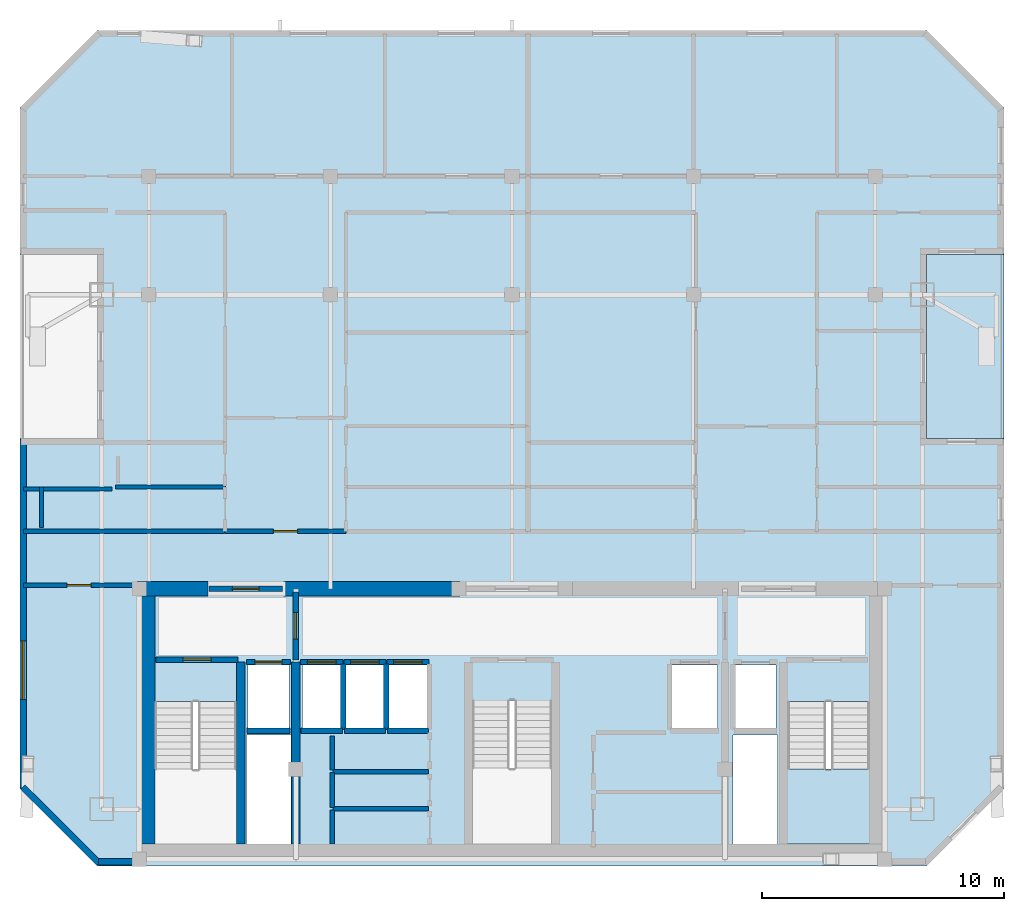
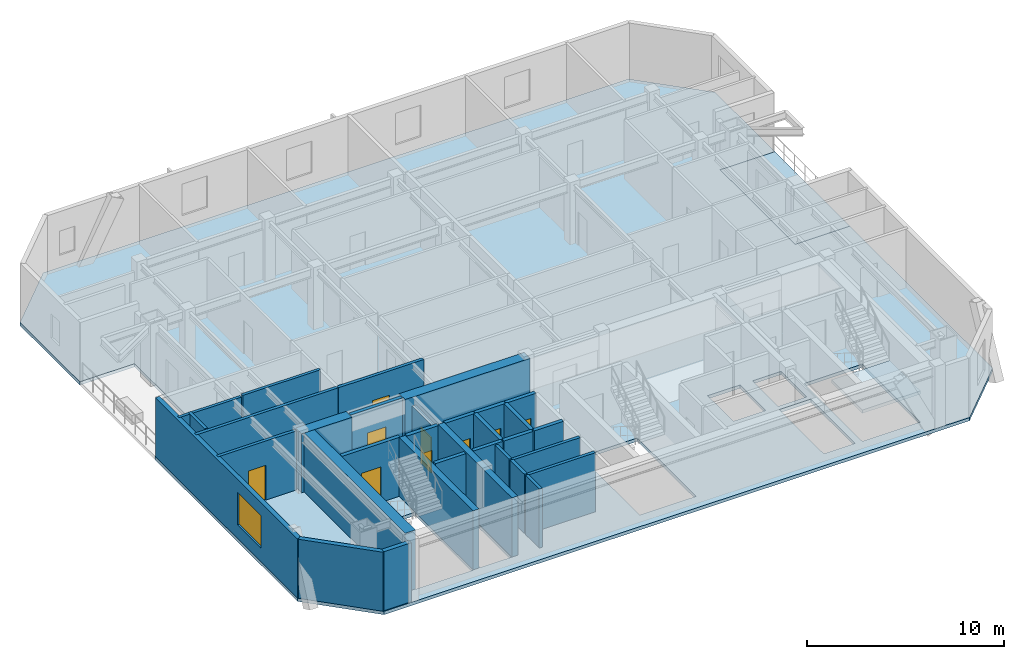
# One storey, part 2 of 8: 32 walls, 9 doors, 3 slabs, 1 window, 10 openings, 1 element without a shape of its own.
"""IFC4 building model written with IfcOpenShell, lengths in metres."""

from ifc_helpers import new_model, si_unit, direction, frame, frame_2d, origin, place, context, subcontext, project, spatial, polyline, rectangle, outline, extrude, material, layer, layer_set, type_object, element, fill, aggregate, save


model = new_model("IFC4")

# Units and contexts
model_context = context("Model", 3, precision=1e-05, world=origin(), true_north=direction((0.0, 1.0)))
body_context = subcontext(model_context, "Body", "Model", "MODEL_VIEW")
ifc_project = project(units=[si_unit("LENGTHUNIT", "METRE"), si_unit("AREAUNIT", "SQUARE_METRE"), si_unit("VOLUMEUNIT", "CUBIC_METRE"), si_unit("PLANEANGLEUNIT", "RADIAN"), si_unit("MASSUNIT", "GRAM", prefix="KILO")], contexts=[model_context])

# Site, building, storey
site_placement = place(None, origin())
site = spatial("IfcSite", under=ifc_project, at=site_placement, CompositionType="ELEMENT")
building_placement = place(site_placement, origin())
building = spatial("IfcBuilding", under=site, at=building_placement, Name="Ventersveld Concourse Tower", CompositionType="ELEMENT")
storey_placement = place(building_placement, frame((0.0, 0.0, 284.89990234375)))
storey = spatial("IfcBuildingStorey", under=building, at=storey_placement, Name="L70", CompositionType="ELEMENT", Elevation=284.89990234375)

# Slabs
ifc_material_1 = material(Name="Concrete C50/60", Category="concrete")
ifc_layer_1 = layer(ifc_material_1, 0.199951171875)
ifc_layer_set_1 = layer_set([ifc_layer_1], Name="Concrete C50/60")
slab_type_1 = type_object("IfcSlabType", Name="SL-FLR-200", PredefinedType="FLOOR", material=ifc_layer_set_1)
slab_1_placement = place(storey_placement, frame((0.0, 0.0, -0.199951171875)))
element("IfcSlab", 1, at=slab_1_placement, inside=storey, type_object=slab_type_1, Name="L70 Composite Floor Slab", PredefinedType="FLOOR", context=body_context, shape_type="SweptSolid", body=[
    extrude(outline(polyline([(11.624267578125, 0.0), (45.875732421875, 0.0), (49.07568359375, 3.199951171875), (49.07568359375, 17.663330078125), (45.875732421875, 17.663330078125), (45.875732421875, 25.263427734375), (49.07568359375, 25.263427734375), (49.07568359375, 31.326904296875), (45.875732421875, 34.52685546875), (11.624267578125, 34.52685546875), (8.42431640625, 31.326904296875), (8.42431640625, 25.263427734375), (11.624267578125, 25.263427734375), (11.624267578125, 17.663330078125), (8.42431640625, 17.663330078125), (8.42431640625, 3.199951171875), (11.624267578125, 0.0)]), holes=[polyline([(13.97998046875, 6.794921875), (13.97998046875, 0.89990234375), (17.3798828125, 0.89990234375), (17.3798828125, 6.794921875), (13.97998046875, 6.794921875)]), polyline([(40.1201171875, 6.794921875), (40.1201171875, 0.89990234375), (43.52001953125, 0.89990234375), (43.52001953125, 6.794921875), (40.1201171875, 6.794921875)]), polyline([(27.10009765625, 6.844970703125), (27.10009765625, 0.89990234375), (30.39990234375, 0.89990234375), (30.39990234375, 6.844970703125), (27.10009765625, 6.844970703125)]), polyline([(17.85009765625, 5.699951171875), (19.530029296875, 5.699951171875), (19.530029296875, 8.300048828125), (17.85009765625, 8.300048828125), (17.85009765625, 5.699951171875)]), polyline([(37.969970703125, 5.699951171875), (39.64990234375, 5.699951171875), (39.64990234375, 8.300048828125), (37.969970703125, 8.300048828125), (37.969970703125, 5.699951171875)]), polyline([(35.35009765625, 5.699951171875), (37.25, 5.699951171875), (37.25, 8.300048828125), (35.35009765625, 8.300048828125), (35.35009765625, 5.699951171875)]), polyline([(20.090087890625, 5.699951171875), (21.68994140625, 5.699951171875), (21.68994140625, 8.300048828125), (20.090087890625, 8.300048828125), (20.090087890625, 5.699951171875)]), polyline([(21.8701171875, 5.699951171875), (23.469970703125, 5.699951171875), (23.469970703125, 8.300048828125), (21.8701171875, 8.300048828125), (21.8701171875, 5.699951171875)]), polyline([(23.64990234375, 5.699951171875), (25.25, 5.699951171875), (25.25, 8.300048828125), (23.64990234375, 8.300048828125), (23.64990234375, 5.699951171875)]), polyline([(17.780029296875, 0.919921875), (19.6201171875, 0.919921875), (19.6201171875, 5.419921875), (17.780029296875, 5.419921875), (17.780029296875, 0.919921875)]), polyline([(37.8798828125, 0.919921875), (39.719970703125, 0.919921875), (39.719970703125, 5.419921875), (37.8798828125, 5.419921875), (37.8798828125, 0.919921875)])]), origin(), (0.0, 0.0, 1.0), 0.199951171875),
])
slab_2_placement = place(storey_placement, frame((0.0, 0.0, -0.199951171875)))
element("IfcSlab", 2, at=slab_2_placement, inside=storey, type_object=slab_type_1, Name="L70 Outdoor Terrace Slab NOTCH-E", PredefinedType="FLOOR", context=body_context, shape_type="SweptSolid", body=[
    extrude(outline(polyline([(45.875732421875, 17.663330078125), (49.07568359375, 17.663330078125), (49.07568359375, 25.263427734375), (45.875732421875, 25.263427734375), (45.875732421875, 17.663330078125)])), origin(), (0.0, 0.0, 1.0), 0.199951171875),
])

# Stair, slab
stair_type = type_object("IfcStairType", Name="ST-DOG-160", PredefinedType="HALF_TURN_STAIR", material=ifc_material_1)
stair_placement = place(storey_placement, origin())
stair = element("IfcStair", 3, at=stair_placement, inside=storey, type_object=stair_type, Name="L70 Protected Tower Escape Stair ST-02", PredefinedType="HALF_TURN_STAIR")
ifc_layer_2 = layer(ifc_material_1, 0.199951171875)
ifc_layer_set_2 = layer_set([ifc_layer_2], Name="Concrete C50/60")
slab_type_2 = type_object("IfcSlabType", Name="SL-LND-200", PredefinedType="LANDING", material=ifc_layer_set_2)
slab_3_placement = place(storey_placement, frame((0.0, 0.0, 1.72509765625)))
slab_3 = element("IfcSlab", 4, at=slab_3_placement, type_object=slab_type_2, Name="ST-02 landing 1", PredefinedType="LANDING", context=body_context, shape_type="SweptSolid", body=[
    extrude(outline(polyline([(40.1201171875, 4.0), (40.1201171875, 0.89990234375), (43.52001953125, 0.89990234375), (43.52001953125, 4.0), (40.1201171875, 4.0)])), origin(), (0.0, 0.0, 1.0), 0.199951171875),
])
aggregate(stair, [slab_3])

# Walls
ifc_layer_3 = layer(ifc_material_1, 0.35009765625)
ifc_layer_set_3 = layer_set([ifc_layer_3], Name="Concrete C50/60")
wall_type_1 = type_object("IfcWallType", Name="WL-CORE-350U", PredefinedType="SHEAR", material=ifc_layer_set_3)
for number, where, z_axis, x_axis, name in (
    (5, (17.5400390625, 0.919921875, 0.0), (0.0, 0.0, 1.0), (0.0, 1.0, 0.0), "L70 Core Internal Shear Web W-ST1-E"),
    (6, (19.820068359375, 0.919921875, 0.0), (0.0, 0.0, 1.0), (0.0, 1.0, 0.0), "L70 Core Internal Shear Web W-FF1-E"),
):
    element("IfcWall", number, at=place(storey_placement, frame(where, z_axis=z_axis, x_axis=x_axis)), inside=storey, type_object=wall_type_1, Name=name, PredefinedType="SHEAR", context=body_context, shape_type="SweptSolid", body=[
        extrude(rectangle(XDim=7.5, YDim=0.35009765625, at=frame_2d((3.75, 0.0))), origin(), (0.0, 0.0, 1.0), 3.650146484375),
    ])
ifc_layer_4 = layer(ifc_material_1, 0.60009765625)
ifc_layer_set_4 = layer_set([ifc_layer_4], Name="Concrete C50/60")
wall_type_2 = type_object("IfcWallType", Name="WL-CORE-600", PredefinedType="SHEAR", material=ifc_layer_set_4)
wall_1_placement = place(storey_placement, frame((13.699951171875, 0.919921875, 0.0), z_axis=(0.0, 0.0, 1.0), x_axis=(0.0, 1.0, 0.0)))
element("IfcWall", 7, at=wall_1_placement, inside=storey, type_object=wall_type_2, Name="L70 Rear Core West Shear Wall", PredefinedType="SHEAR", context=body_context, shape_type="SweptSolid", body=[
    extrude(rectangle(XDim=10.530029296875, YDim=0.60009765625, at=frame_2d((5.26513671875, 0.0))), origin(), (0.0, 0.0, 1.0), 3.650146484375),
])
wall_2_placement = place(storey_placement, frame((13.25, 11.449951171875, 0.0), z_axis=(0.0, 0.0, 1.0), x_axis=(1.0, 0.0, 0.0)))
element("IfcWall", 8, at=wall_2_placement, inside=storey, type_object=wall_type_2, Name="L70 Rear Core North Shear Wall NW", PredefinedType="SHEAR", context=body_context, shape_type="SweptSolid", body=[
    extrude(rectangle(XDim=2.949951171875, YDim=0.60009765625, at=frame_2d((1.47509765625, 0.0))), origin(), (0.0, 0.0, 1.0), 3.650146484375),
])
wall_3_placement = place(storey_placement, frame((19.300048828125, 11.449951171875, 0.0), z_axis=(0.0, 0.0, 1.0), x_axis=(1.0, 0.0, 0.0)))
element("IfcWall", 9, at=wall_3_placement, inside=storey, type_object=wall_type_2, Name="L70 Rear Core North Shear Wall NML", PredefinedType="SHEAR", context=body_context, shape_type="SweptSolid", body=[
    extrude(rectangle(XDim=7.300048828125, YDim=0.60009765625, at=frame_2d((3.64990234375, 0.0))), origin(), (0.0, 0.0, 1.0), 3.650146484375),
])
ifc_material_2 = material(Name="Fire-rated autoclaved aerated masonry blockwork", Category="masonry")
ifc_layer_5 = layer(ifc_material_2, 0.179931640625)
ifc_layer_set_5 = layer_set([ifc_layer_5], Name="Fire-rated autoclaved aerated masonry blockwork")
wall_type_3 = type_object("IfcWallType", Name="WL-CORR-180", PredefinedType="PARTITIONING", material=ifc_layer_set_5)
wall_4_placement = place(storey_placement, frame((21.360107421875, 2.360107421875, 0.0), z_axis=(0.0, 0.0, 1.0), x_axis=(1.0, 0.0, 0.0)))
element("IfcWall", 10, at=wall_4_placement, inside=storey, type_object=wall_type_3, Name="L70 Core Top Wall SP-L70-RECB1S", PredefinedType="PARTITIONING", context=body_context, shape_type="SweptSolid", body=[
    extrude(rectangle(XDim=3.93994140625, YDim=0.179931640625, at=frame_2d((1.969970703125, 0.0))), origin(), (0.0, 0.0, 1.0), 3.650146484375),
])
wall_5_placement = place(storey_placement, frame((21.320068359375, 0.909912109375, 0.0), z_axis=(0.0, 0.0, 1.0), x_axis=(0.0, 1.0, 0.0)))
element("IfcWall", 11, at=wall_5_placement, inside=storey, type_object=wall_type_3, Name="L70 Core West Wall SP-L70-RECB1S", PredefinedType="PARTITIONING", context=body_context, shape_type="SweptSolid", body=[
    extrude(rectangle(XDim=1.41015625, YDim=0.179931640625, at=frame_2d((0.705078125, 0.0))), origin(), (0.0, 0.0, 1.0), 3.650146484375),
])
wall_6_placement = place(storey_placement, frame((21.360107421875, 3.89990234375, 0.0), z_axis=(0.0, 0.0, 1.0), x_axis=(1.0, 0.0, 0.0)))
element("IfcWall", 12, at=wall_6_placement, inside=storey, type_object=wall_type_3, Name="L70 Core Top Wall SP-L70-RECB1M", PredefinedType="PARTITIONING", context=body_context, shape_type="SweptSolid", body=[
    extrude(rectangle(XDim=3.93994140625, YDim=0.179931640625, at=frame_2d((1.969970703125, 0.0))), origin(), (0.0, 0.0, 1.0), 3.650146484375),
])
wall_7_placement = place(storey_placement, frame((21.320068359375, 2.419921875, 0.0), z_axis=(0.0, 0.0, 1.0), x_axis=(0.0, 1.0, 0.0)))
element("IfcWall", 13, at=wall_7_placement, inside=storey, type_object=wall_type_3, Name="L70 Core West Wall SP-L70-RECB1M", PredefinedType="PARTITIONING", context=body_context, shape_type="SweptSolid", body=[
    extrude(rectangle(XDim=1.440185546875, YDim=0.179931640625, at=frame_2d((0.72021484375, 0.0))), origin(), (0.0, 0.0, 1.0), 3.650146484375),
])
wall_8_placement = place(storey_placement, frame((21.320068359375, 3.9599609375, 0.0), z_axis=(0.0, 0.0, 1.0), x_axis=(0.0, 1.0, 0.0)))
element("IfcWall", 14, at=wall_8_placement, inside=storey, type_object=wall_type_3, Name="L70 Core West Wall SP-L70-RECB1N", PredefinedType="PARTITIONING", context=body_context, shape_type="SweptSolid", body=[
    extrude(rectangle(XDim=1.419921875, YDim=0.179931640625, at=frame_2d((0.7099609375, 0.0))), origin(), (0.0, 0.0, 1.0), 3.650146484375),
])

# Wall, opening, door
wall_9_placement = place(storey_placement, frame((8.57373046875, 11.60009765625, 0.0), z_axis=(0.0, 0.0, 1.0), x_axis=(1.0, 0.0, 0.0)))
wall_9 = element("IfcWall", 15, at=wall_9_placement, inside=storey, type_object=wall_type_3, Name="L70 Interior Partition SP-L70-SW-GAL-SP-L70-COR", PredefinedType="PARTITIONING", context=body_context, shape_type="SweptSolid", body=[
    extrude(rectangle(XDim=4.5712890625, YDim=0.179931640625, at=frame_2d((2.28564453125, 0.0))), origin(), (0.0, 0.0, 1.0), 3.650146484375),
])
opening_1_placement = place(wall_9_placement, frame((1.78564453125, 0.0, 0.0)))
opening_1 = element("IfcOpeningElement", 16, at=opening_1_placement, cuts=wall_9, Name="Opening FD3", PredefinedType="OPENING", context=body_context, shape_type="SweptSolid", body=[
    extrude(rectangle(XDim=1.0, YDim=2.14990234375, at=frame_2d((0.5, 1.074951171875))), frame((0.0, 0.10009765625, 0.0), z_axis=(0.0, -1.0, 0.0), x_axis=(1.0, 0.0, 0.0)), (0.0, 0.0, 1.0), 0.199951171875),
])
ifc_material_3 = material(Name="Solid-core hardwood veneer timber", Category="wood")
door_type_1 = type_object("IfcDoorType", Name="DR-FLAT-100", OperationType="NOTDEFINED", PredefinedType="DOOR", material=ifc_material_3)
door_1_placement = place(opening_1_placement, origin())
door_1 = element("IfcDoor", 17, at=door_1_placement, inside=storey, type_object=door_type_1, Name="L70 Interior Door SP-L70-SW-GAL to SP-L70-COR (D-L70-3264)", OperationType="SINGLE_SWING_RIGHT", OverallHeight=2.14990234375, OverallWidth=1.0, PredefinedType="DOOR", context=body_context, shape_type="SweptSolid", body=[
    extrude(rectangle(XDim=1.0, YDim=2.14990234375, at=frame_2d((0.5, 1.074951171875))), frame((0.0, 0.02490234375, 0.0), z_axis=(0.0, -1.0, 0.0), x_axis=(1.0, 0.0, 0.0)), (0.0, 0.0, 1.0), 0.050048828125),
])
fill(opening_1, door_1)

wall_10_placement = place(storey_placement, frame((16.897705078125, 13.830078125, 0.0), z_axis=(0.0, 0.0, 1.0), x_axis=(1.0, 0.0, 0.0)))
wall_10 = element("IfcWall", 18, at=wall_10_placement, inside=storey, type_object=wall_type_3, Name="L70 Interior Partition SP-L70-COR-SP-L70-70N1-FOY", PredefinedType="PARTITIONING", context=body_context, shape_type="SweptSolid", body=[
    extrude(rectangle(XDim=4.989990234375, YDim=0.179931640625, at=frame_2d((2.4951171875, 0.0))), origin(), (0.0, 0.0, 1.0), 3.650146484375),
])
opening_2_placement = place(wall_10_placement, frame((1.9951171875, 0.0, 0.0)))
opening_2 = element("IfcOpeningElement", 19, at=opening_2_placement, cuts=wall_10, Name="Opening FD3", PredefinedType="OPENING", context=body_context, shape_type="SweptSolid", body=[
    extrude(rectangle(XDim=1.0, YDim=2.14990234375, at=frame_2d((0.5, 1.074951171875))), frame((0.0, 0.10009765625, 0.0), z_axis=(0.0, -1.0, 0.0), x_axis=(1.0, 0.0, 0.0)), (0.0, 0.0, 1.0), 0.199951171875),
])
door_2_placement = place(opening_2_placement, origin())
door_2 = element("IfcDoor", 20, at=door_2_placement, inside=storey, type_object=door_type_1, Name="L70 Interior Door SP-L70-COR to SP-L70-70N1-FOY (FD-L70-3266)", OperationType="SINGLE_SWING_RIGHT", OverallHeight=2.14990234375, OverallWidth=1.0, PredefinedType="DOOR", context=body_context, shape_type="SweptSolid", body=[
    extrude(rectangle(XDim=1.0, YDim=2.14990234375, at=frame_2d((0.5, 1.074951171875))), frame((0.0, 0.02490234375, 0.0), z_axis=(0.0, -1.0, 0.0), x_axis=(1.0, 0.0, 0.0)), (0.0, 0.0, 1.0), 0.050048828125),
])
fill(opening_2, door_2)

# Walls
wall_11_placement = place(storey_placement, frame((8.57373046875, 13.830078125, 0.0), z_axis=(0.0, 0.0, 1.0), x_axis=(1.0, 0.0, 0.0)))
element("IfcWall", 21, at=wall_11_placement, inside=storey, type_object=wall_type_3, Name="L70 Interior Partition SP-L70-COR-SP-L70-70N1-BATH", PredefinedType="PARTITIONING", context=body_context, shape_type="SweptSolid", body=[
    extrude(rectangle(XDim=8.2939453125, YDim=0.179931640625, at=frame_2d((4.14697265625, 0.0))), origin(), (0.0, 0.0, 1.0), 3.650146484375),
])
ifc_layer_6 = layer(ifc_material_2, 0.219970703125)
ifc_layer_set_6 = layer_set([ifc_layer_6], Name="Fire-rated autoclaved aerated masonry blockwork")
wall_type_4 = type_object("IfcWallType", Name="WL-HOIST-220", PredefinedType="SOLIDWALL", material=ifc_layer_set_6)
wall_12_placement = place(storey_placement, frame((17.800048828125, 5.590087890625, 0.0), z_axis=(0.0, 0.0, 1.0), x_axis=(1.0, 0.0, 0.0)))
element("IfcWall", 22, at=wall_12_placement, inside=storey, type_object=wall_type_4, Name="L70 Lift Hoistway Back Wall FFL-01", PredefinedType="SOLIDWALL", context=body_context, shape_type="SweptSolid", body=[
    extrude(rectangle(XDim=1.780029296875, YDim=0.219970703125, at=frame_2d((0.89013671875, 0.0))), origin(), (0.0, 0.0, 1.0), 3.650146484375),
])

# Wall, opening, door
wall_13_placement = place(storey_placement, frame((17.780029296875, 8.429931640625, 0.0), z_axis=(0.0, 0.0, 1.0), x_axis=(1.0, 0.0, 0.0)))
wall_13 = element("IfcWall", 23, at=wall_13_placement, inside=storey, type_object=wall_type_4, Name="L70 Lift Hoistway Front Wall FFL-01", PredefinedType="SOLIDWALL", context=body_context, shape_type="SweptSolid", body=[
    extrude(rectangle(XDim=1.820068359375, YDim=0.219970703125, at=frame_2d((0.91015625, 0.0))), origin(), (0.0, 0.0, 1.0), 3.650146484375),
])
opening_3_placement = place(wall_13_placement, frame((0.35009765625, 0.0, 0.0)))
opening_3 = element("IfcOpeningElement", 24, at=opening_3_placement, cuts=wall_13, Name="Opening LD1", PredefinedType="OPENING", context=body_context, shape_type="SweptSolid", body=[
    extrude(rectangle(XDim=1.1201171875, YDim=2.25, at=frame_2d((0.56005859375, 1.125))), frame((0.0, 0.1201171875, 0.0), z_axis=(0.0, -1.0, 0.0), x_axis=(1.0, 0.0, 0.0)), (0.0, 0.0, 1.0), 0.239990234375),
])
ifc_material_4 = material(Name="Brushed stainless steel 316", Category="steel")
door_type_2 = type_object("IfcDoorType", Name="LD-FF-112", OperationType="SLIDING_TO_LEFT", PredefinedType="DOOR", material=ifc_material_4)
door_3_placement = place(opening_3_placement, origin())
door_3 = element("IfcDoor", 25, at=door_3_placement, inside=storey, type_object=door_type_2, Name="L70 Lift landing door FFL-01 (LD-L70-FFL-01)", OperationType="SLIDING_TO_RIGHT", OverallHeight=2.25, OverallWidth=1.1201171875, PredefinedType="DOOR", context=body_context, shape_type="SweptSolid", body=[
    extrude(rectangle(XDim=1.1201171875, YDim=2.25, at=frame_2d((0.56005859375, 1.125))), frame((0.0, 0.02490234375, 0.0), z_axis=(0.0, -1.0, 0.0), x_axis=(1.0, 0.0, 0.0)), (0.0, 0.0, 1.0), 0.050048828125),
])
fill(opening_3, door_3)

# Walls
wall_14_placement = place(storey_placement, frame((20.0400390625, 5.590087890625, 0.0), z_axis=(0.0, 0.0, 1.0), x_axis=(1.0, 0.0, 0.0)))
element("IfcWall", 26, at=wall_14_placement, inside=storey, type_object=wall_type_4, Name="L70 Lift Hoistway Back Wall PH-01", PredefinedType="SOLIDWALL", context=body_context, shape_type="SweptSolid", body=[
    extrude(rectangle(XDim=1.699951171875, YDim=0.219970703125, at=frame_2d((0.85009765625, 0.0))), origin(), (0.0, 0.0, 1.0), 3.650146484375),
])
wall_15_placement = place(storey_placement, frame((21.780029296875, 5.64990234375, 0.0), z_axis=(0.0, 0.0, 1.0), x_axis=(0.0, 1.0, 0.0)))
element("IfcWall", 27, at=wall_15_placement, inside=storey, type_object=wall_type_4, Name="L70 Lift Hoistway Side Wall PH-01E", PredefinedType="SOLIDWALL", context=body_context, shape_type="SweptSolid", body=[
    extrude(rectangle(XDim=2.7001953125, YDim=0.219970703125, at=frame_2d((1.35009765625, 0.0))), origin(), (0.0, 0.0, 1.0), 3.650146484375),
])

# Wall, opening, door
wall_16_placement = place(storey_placement, frame((20.02001953125, 8.429931640625, 0.0), z_axis=(0.0, 0.0, 1.0), x_axis=(1.0, 0.0, 0.0)))
wall_16 = element("IfcWall", 28, at=wall_16_placement, inside=storey, type_object=wall_type_4, Name="L70 Lift Hoistway Front Wall PH-01", PredefinedType="SOLIDWALL", context=body_context, shape_type="SweptSolid", body=[
    extrude(rectangle(XDim=1.739990234375, YDim=0.219970703125, at=frame_2d((0.8701171875, 0.0))), origin(), (0.0, 0.0, 1.0), 3.650146484375),
])
opening_4_placement = place(wall_16_placement, frame((0.280029296875, 0.0, 0.0)))
opening_4 = element("IfcOpeningElement", 29, at=opening_4_placement, cuts=wall_16, Name="Opening LD2", PredefinedType="OPENING", context=body_context, shape_type="SweptSolid", body=[
    extrude(rectangle(XDim=1.179931640625, YDim=2.199951171875, at=frame_2d((0.58984375, 1.10009765625))), frame((0.0, 0.1201171875, 0.0), z_axis=(0.0, -1.0, 0.0), x_axis=(1.0, 0.0, 0.0)), (0.0, 0.0, 1.0), 0.239990234375),
])
door_type_3 = type_object("IfcDoorType", Name="LD-PAX-118", OperationType="SLIDING_TO_LEFT", PredefinedType="DOOR", material=ifc_material_4)
door_4_placement = place(opening_4_placement, origin())
door_4 = element("IfcDoor", 30, at=door_4_placement, inside=storey, type_object=door_type_3, Name="L70 Lift landing door PH-01 (LD-L70-PH-01)", OperationType="SLIDING_TO_LEFT", OverallHeight=2.199951171875, OverallWidth=1.179931640625, PredefinedType="DOOR", context=body_context, shape_type="SweptSolid", body=[
    extrude(rectangle(XDim=1.179931640625, YDim=2.199951171875, at=frame_2d((0.58984375, 1.10009765625))), frame((0.0, 0.02490234375, 0.0), z_axis=(0.0, -1.0, 0.0), x_axis=(1.0, 0.0, 0.0)), (0.0, 0.0, 1.0), 0.050048828125),
])
fill(opening_4, door_4)

# Walls
wall_17_placement = place(storey_placement, frame((21.820068359375, 5.590087890625, 0.0), z_axis=(0.0, 0.0, 1.0), x_axis=(1.0, 0.0, 0.0)))
element("IfcWall", 31, at=wall_17_placement, inside=storey, type_object=wall_type_4, Name="L70 Lift Hoistway Back Wall PH-02", PredefinedType="SOLIDWALL", context=body_context, shape_type="SweptSolid", body=[
    extrude(rectangle(XDim=1.699951171875, YDim=0.219970703125, at=frame_2d((0.85009765625, 0.0))), origin(), (0.0, 0.0, 1.0), 3.650146484375),
])
wall_18_placement = place(storey_placement, frame((23.56005859375, 5.64990234375, 0.0), z_axis=(0.0, 0.0, 1.0), x_axis=(0.0, 1.0, 0.0)))
element("IfcWall", 32, at=wall_18_placement, inside=storey, type_object=wall_type_4, Name="L70 Lift Hoistway Side Wall PH-02E", PredefinedType="SOLIDWALL", context=body_context, shape_type="SweptSolid", body=[
    extrude(rectangle(XDim=2.7001953125, YDim=0.219970703125, at=frame_2d((1.35009765625, 0.0))), origin(), (0.0, 0.0, 1.0), 3.650146484375),
])

# Wall, opening, door
wall_19_placement = place(storey_placement, frame((21.800048828125, 8.429931640625, 0.0), z_axis=(0.0, 0.0, 1.0), x_axis=(1.0, 0.0, 0.0)))
wall_19 = element("IfcWall", 33, at=wall_19_placement, inside=storey, type_object=wall_type_4, Name="L70 Lift Hoistway Front Wall PH-02", PredefinedType="SOLIDWALL", context=body_context, shape_type="SweptSolid", body=[
    extrude(rectangle(XDim=1.739990234375, YDim=0.219970703125, at=frame_2d((0.8701171875, 0.0))), origin(), (0.0, 0.0, 1.0), 3.650146484375),
])
opening_5_placement = place(wall_19_placement, frame((0.280029296875, 0.0, 0.0)))
opening_5 = element("IfcOpeningElement", 34, at=opening_5_placement, cuts=wall_19, Name="Opening LD2", PredefinedType="OPENING", context=body_context, shape_type="SweptSolid", body=[
    extrude(rectangle(XDim=1.179931640625, YDim=2.199951171875, at=frame_2d((0.58984375, 1.10009765625))), frame((0.0, 0.1201171875, 0.0), z_axis=(0.0, -1.0, 0.0), x_axis=(1.0, 0.0, 0.0)), (0.0, 0.0, 1.0), 0.239990234375),
])
door_5_placement = place(opening_5_placement, origin())
door_5 = element("IfcDoor", 35, at=door_5_placement, inside=storey, type_object=door_type_3, Name="L70 Lift landing door PH-02 (LD-L70-PH-02)", OperationType="SLIDING_TO_RIGHT", OverallHeight=2.199951171875, OverallWidth=1.179931640625, PredefinedType="DOOR", context=body_context, shape_type="SweptSolid", body=[
    extrude(rectangle(XDim=1.179931640625, YDim=2.199951171875, at=frame_2d((0.58984375, 1.10009765625))), frame((0.0, 0.02490234375, 0.0), z_axis=(0.0, -1.0, 0.0), x_axis=(1.0, 0.0, 0.0)), (0.0, 0.0, 1.0), 0.050048828125),
])
fill(opening_5, door_5)

# Wall
wall_20_placement = place(storey_placement, frame((23.60009765625, 5.590087890625, 0.0), z_axis=(0.0, 0.0, 1.0), x_axis=(1.0, 0.0, 0.0)))
element("IfcWall", 36, at=wall_20_placement, inside=storey, type_object=wall_type_4, Name="L70 Lift Hoistway Back Wall PH-03", PredefinedType="SOLIDWALL", context=body_context, shape_type="SweptSolid", body=[
    extrude(rectangle(XDim=1.699951171875, YDim=0.219970703125, at=frame_2d((0.85009765625, 0.0))), origin(), (0.0, 0.0, 1.0), 3.650146484375),
])

# Wall, opening, door
wall_21_placement = place(storey_placement, frame((23.580078125, 8.429931640625, 0.0), z_axis=(0.0, 0.0, 1.0), x_axis=(1.0, 0.0, 0.0)))
wall_21 = element("IfcWall", 37, at=wall_21_placement, inside=storey, type_object=wall_type_4, Name="L70 Lift Hoistway Front Wall PH-03", PredefinedType="SOLIDWALL", context=body_context, shape_type="SweptSolid", body=[
    extrude(rectangle(XDim=1.739990234375, YDim=0.219970703125, at=frame_2d((0.8701171875, 0.0))), origin(), (0.0, 0.0, 1.0), 3.650146484375),
])
opening_6_placement = place(wall_21_placement, frame((0.280029296875, 0.0, 0.0)))
opening_6 = element("IfcOpeningElement", 38, at=opening_6_placement, cuts=wall_21, Name="Opening LD2", PredefinedType="OPENING", context=body_context, shape_type="SweptSolid", body=[
    extrude(rectangle(XDim=1.179931640625, YDim=2.199951171875, at=frame_2d((0.58984375, 1.10009765625))), frame((0.0, 0.1201171875, 0.0), z_axis=(0.0, -1.0, 0.0), x_axis=(1.0, 0.0, 0.0)), (0.0, 0.0, 1.0), 0.239990234375),
])
door_6_placement = place(opening_6_placement, origin())
door_6 = element("IfcDoor", 39, at=door_6_placement, inside=storey, type_object=door_type_3, Name="L70 Lift landing door PH-03 (LD-L70-PH-03)", OperationType="SLIDING_TO_LEFT", OverallHeight=2.199951171875, OverallWidth=1.179931640625, PredefinedType="DOOR", context=body_context, shape_type="SweptSolid", body=[
    extrude(rectangle(XDim=1.179931640625, YDim=2.199951171875, at=frame_2d((0.58984375, 1.10009765625))), frame((0.0, 0.02490234375, 0.0), z_axis=(0.0, -1.0, 0.0), x_axis=(1.0, 0.0, 0.0)), (0.0, 0.0, 1.0), 0.050048828125),
])
fill(opening_6, door_6)

wall_22_placement = place(storey_placement, frame((14.0400390625, 8.52001953125, 0.0), z_axis=(0.0, 0.0, 1.0), x_axis=(1.0, 0.0, 0.0)))
wall_22 = element("IfcWall", 40, at=wall_22_placement, inside=storey, type_object=wall_type_4, Name="L70 Escape Stair ST01 Fire Wall", PredefinedType="SOLIDWALL", context=body_context, shape_type="SweptSolid", body=[
    extrude(rectangle(XDim=3.39990234375, YDim=0.219970703125, at=frame_2d((1.699951171875, 0.0))), origin(), (0.0, 0.0, 1.0), 3.650146484375),
])
opening_7_placement = place(wall_22_placement, frame((1.125, 0.0, 0.0)))
opening_7 = element("IfcOpeningElement", 41, at=opening_7_placement, cuts=wall_22, Name="Opening FD1", PredefinedType="OPENING", context=body_context, shape_type="SweptSolid", body=[
    extrude(rectangle(XDim=1.14990234375, YDim=2.199951171875, at=frame_2d((0.574951171875, 1.10009765625))), frame((0.0, 0.1201171875, 0.0), z_axis=(0.0, -1.0, 0.0), x_axis=(1.0, 0.0, 0.0)), (0.0, 0.0, 1.0), 0.239990234375),
])
ifc_material_5 = material(Name="Galvanised painted steel", Category="steel")
door_type_4 = type_object("IfcDoorType", Name="DR-STAIR-115", OperationType="NOTDEFINED", PredefinedType="DOOR", material=ifc_material_5)
door_7_placement = place(opening_7_placement, origin())
door_7 = element("IfcDoor", 42, at=door_7_placement, inside=storey, type_object=door_type_4, Name="L70 Escape Stair Door ST01 (SD-L70-3251)", OperationType="SINGLE_SWING_LEFT", OverallHeight=2.199951171875, OverallWidth=1.14990234375, PredefinedType="DOOR", context=body_context, shape_type="SweptSolid", body=[
    extrude(rectangle(XDim=1.14990234375, YDim=2.199951171875, at=frame_2d((0.574951171875, 1.10009765625))), frame((0.0, 0.02490234375, 0.0), z_axis=(0.0, -1.0, 0.0), x_axis=(1.0, 0.0, 0.0)), (0.0, 0.0, 1.0), 0.050048828125),
])
fill(opening_7, door_7)

wall_23_placement = place(storey_placement, frame((19.820068359375, 8.52001953125, 0.0), z_axis=(0.0, 0.0, 1.0), x_axis=(0.0, 1.0, 0.0)))
wall_23 = element("IfcWall", 43, at=wall_23_placement, inside=storey, type_object=wall_type_4, Name="L70 Firefighting Lobby Smoke-Stop Wall FFLW-SEP", PredefinedType="SOLIDWALL", context=body_context, shape_type="SweptSolid", body=[
    extrude(rectangle(XDim=2.800048828125, YDim=0.219970703125, at=frame_2d((1.39990234375, 0.0))), origin(), (0.0, 0.0, 1.0), 3.105712890625),
])
opening_8_placement = place(wall_23_placement, frame((0.85009765625, 0.0, 0.0)))
opening_8 = element("IfcOpeningElement", 44, at=opening_8_placement, cuts=wall_23, Name="Opening FD2", PredefinedType="OPENING", context=body_context, shape_type="SweptSolid", body=[
    extrude(rectangle(XDim=1.10009765625, YDim=2.199951171875, at=frame_2d((0.550048828125, 1.10009765625))), frame((0.0, 0.1201171875, 0.0), z_axis=(0.0, -1.0, 0.0), x_axis=(1.0, 0.0, 0.0)), (0.0, 0.0, 1.0), 0.239990234375),
])
door_type_5 = type_object("IfcDoorType", Name="DR-FFL-110", OperationType="NOTDEFINED", PredefinedType="DOOR", material=ifc_material_5)
door_8_placement = place(opening_8_placement, origin())
door_8 = element("IfcDoor", 45, at=door_8_placement, inside=storey, type_object=door_type_5, Name="L70 Firefighting Lobby Door FFLW-SEP (FD-L70-3254)", OperationType="SINGLE_SWING_LEFT", OverallHeight=2.199951171875, OverallWidth=1.10009765625, PredefinedType="DOOR", context=body_context, shape_type="SweptSolid", body=[
    extrude(rectangle(XDim=1.10009765625, YDim=2.199951171875, at=frame_2d((0.550048828125, 1.10009765625))), frame((0.0, 0.02490234375, 0.0), z_axis=(0.0, -1.0, 0.0), x_axis=(1.0, 0.0, 0.0)), (0.0, 0.0, 1.0), 0.050048828125),
])
fill(opening_8, door_8)

wall_24_placement = place(storey_placement, frame((16.22998046875, 11.449951171875, 0.0), z_axis=(0.0, 0.0, 1.0), x_axis=(1.0, 0.0, 0.0)))
wall_24 = element("IfcWall", 46, at=wall_24_placement, inside=storey, type_object=wall_type_4, Name="L70 Core North Fire Portal FFLW-OUT", PredefinedType="SOLIDWALL", context=body_context, shape_type="SweptSolid", body=[
    extrude(rectangle(XDim=3.0400390625, YDim=0.219970703125, at=frame_2d((1.52001953125, 0.0))), origin(), (0.0, 0.0, 1.0), 3.650146484375),
])
opening_9_placement = place(wall_24_placement, frame((0.969970703125, 0.0, 0.0)))
opening_9 = element("IfcOpeningElement", 47, at=opening_9_placement, cuts=wall_24, Name="Opening FD2", PredefinedType="OPENING", context=body_context, shape_type="SweptSolid", body=[
    extrude(rectangle(XDim=1.10009765625, YDim=2.199951171875, at=frame_2d((0.550048828125, 1.10009765625))), frame((0.0, 0.1201171875, 0.0), z_axis=(0.0, -1.0, 0.0), x_axis=(1.0, 0.0, 0.0)), (0.0, 0.0, 1.0), 0.239990234375),
])
door_9_placement = place(opening_9_placement, origin())
door_9 = element("IfcDoor", 48, at=door_9_placement, inside=storey, type_object=door_type_5, Name="L70 Core Lobby Fire Door FFLW-OUT (FD-L70-3256)", OperationType="SINGLE_SWING_RIGHT", OverallHeight=2.199951171875, OverallWidth=1.10009765625, PredefinedType="DOOR", context=body_context, shape_type="SweptSolid", body=[
    extrude(rectangle(XDim=1.10009765625, YDim=2.199951171875, at=frame_2d((0.550048828125, 1.10009765625))), frame((0.0, 0.02490234375, 0.0), z_axis=(0.0, -1.0, 0.0), x_axis=(1.0, 0.0, 0.0)), (0.0, 0.0, 1.0), 0.050048828125),
])
fill(opening_9, door_9)

# Wall
ifc_material_6 = material(Name="Precast concrete C45/55", Category="concrete")
ifc_layer_7 = layer(ifc_material_6, 0.260009765625)
ifc_layer_set_7 = layer_set([ifc_layer_7], Name="Precast concrete C45/55")
wall_type_5 = type_object("IfcWallType", Name="WL-PREC-260", PredefinedType="SOLIDWALL", material=ifc_layer_set_7)
wall_25_placement = place(storey_placement, frame((11.664306640625, 0.179931640625, 0.0), z_axis=(0.0, 0.0, 1.0), x_axis=(1.0, 0.0, 0.0)))
element("IfcWall", 49, at=wall_25_placement, inside=storey, type_object=wall_type_5, Name="L70 South-West Flank Precast Wall", PredefinedType="SOLIDWALL", context=body_context, shape_type="SweptSolid", body=[
    extrude(rectangle(XDim=1.585693359375, YDim=0.260009765625, at=frame_2d((0.79296875, 0.0))), origin(), (0.0, 0.0, 1.0), 3.650146484375),
])

# Wall, opening, window
wall_26_placement = place(storey_placement, frame((8.55419921875, 17.623291015625, 0.0), z_axis=(0.0, 0.0, 1.0), x_axis=(0.0, -1.0, 0.0)))
wall_26 = element("IfcWall", 50, at=wall_26_placement, inside=storey, type_object=wall_type_5, Name="L70 Highveld Precast Facade Wall E15", PredefinedType="SOLIDWALL", context=body_context, shape_type="SweptSolid", body=[
    extrude(rectangle(XDim=14.38330078125, YDim=0.260009765625, at=frame_2d((7.191650390625, 0.0))), origin(), (0.0, 0.0, 1.0), 3.650146484375),
])
opening_10_placement = place(wall_26_placement, frame((8.333251953125, 0.0, 0.85009765625)))
opening_10 = element("IfcOpeningElement", 51, at=opening_10_placement, cuts=wall_26, Name="Opening W5", PredefinedType="OPENING", context=body_context, shape_type="SweptSolid", body=[
    extrude(rectangle(XDim=2.39990234375, YDim=2.0, at=frame_2d((1.199951171875, 1.0))), frame((0.0, 0.14013671875, 0.0), z_axis=(0.0, -1.0, 0.0), x_axis=(1.0, 0.0, 0.0)), (0.0, 0.0, 1.0), 0.280029296875),
])
ifc_material_7 = material(Name="Tempered acoustic Low-E IGU", Category="glass")
window_type = type_object("IfcWindowType", Name="WIN-240x210", PartitioningType="SINGLE_PANEL", PredefinedType="WINDOW", material=ifc_material_7)
window_placement = place(opening_10_placement, origin())
window = element("IfcWindow", 52, at=window_placement, inside=storey, type_object=window_type, Name="L70 Punched Low-E Window W-0995", OverallHeight=2.0, OverallWidth=2.39990234375, PartitioningType="SINGLE_PANEL", PredefinedType="WINDOW", context=body_context, shape_type="SweptSolid", body=[
    extrude(rectangle(XDim=2.39990234375, YDim=2.0, at=frame_2d((1.199951171875, 1.0))), frame((0.0, 0.030029296875, 0.0), z_axis=(0.0, -1.0, 0.0), x_axis=(1.0, 0.0, 0.0)), (0.0, 0.0, 1.0), 0.06005859375),
])
fill(opening_10, window)

# Walls
wall_27_placement = place(storey_placement, frame((8.54443359375, 3.263671875, 0.0), z_axis=(0.0, 0.0, 1.0), x_axis=(0.707079321262, -0.707134240044, 0.0)))
element("IfcWall", 53, at=wall_27_placement, inside=storey, type_object=wall_type_5, Name="L70 Highveld Precast Facade Wall E16", PredefinedType="SOLIDWALL", context=body_context, shape_type="SweptSolid", body=[
    extrude(rectangle(XDim=4.445556640625, YDim=0.260009765625, at=frame_2d((2.22265625, 0.0))), origin(), (0.0, 0.0, 1.0), 3.650146484375),
])
ifc_material_8 = material(Name="Autoclaved aerated masonry blockwork", Category="masonry")
ifc_layer_8 = layer(ifc_material_8, 0.1650390625)
ifc_layer_set_8 = layer_set([ifc_layer_8], Name="Autoclaved aerated masonry blockwork")
wall_type_6 = type_object("IfcWallType", Name="WL-WET-165", PredefinedType="PLUMBINGWALL", material=ifc_layer_set_8)
wall_28_placement = place(storey_placement, frame((12.369140625, 15.659912109375, 0.0), z_axis=(0.0, 0.0, 1.0), x_axis=(1.0, 0.0, 0.0)))
element("IfcWall", 54, at=wall_28_placement, inside=storey, type_object=wall_type_6, Name="L70 Interior Partition SP-L70-70N1-BATH-SP-L70-70N1-PWDL2", PredefinedType="PLUMBINGWALL", context=body_context, shape_type="SweptSolid", body=[
    extrude(rectangle(XDim=4.53857421875, YDim=0.1650390625, at=frame_2d((2.269287109375, 0.0))), origin(), (0.0, 0.0, 1.0), 3.650146484375),
])
wall_29_placement = place(storey_placement, frame((8.57373046875, 15.570068359375, 0.0), z_axis=(0.0, 0.0, 1.0), x_axis=(1.0, 0.0, 0.0)))
element("IfcWall", 55, at=wall_29_placement, inside=storey, type_object=wall_type_6, Name="L70 Room Enclosure Wall SP-L70-70N1-BATH", PredefinedType="PLUMBINGWALL", context=body_context, shape_type="SweptSolid", body=[
    extrude(rectangle(XDim=3.64697265625, YDim=0.1650390625, at=frame_2d((1.823486328125, 0.0))), origin(), (0.0, 0.0, 1.0), 3.650146484375),
])
wall_30_placement = place(storey_placement, frame((9.30419921875, 13.9951171875, 0.0), z_axis=(0.0, 0.0, 1.0), x_axis=(0.0, 1.0, 0.0)))
element("IfcWall", 56, at=wall_30_placement, inside=storey, type_object=wall_type_6, Name="L70 Room Enclosure Wall SP-L70-70N1-BATH", PredefinedType="PLUMBINGWALL", context=body_context, shape_type="SweptSolid", body=[
    extrude(rectangle(XDim=1.669921875, YDim=0.1650390625, at=frame_2d((0.8349609375, 0.0))), origin(), (0.0, 0.0, 1.0), 3.650146484375),
])

save(model, "model.ifc")
